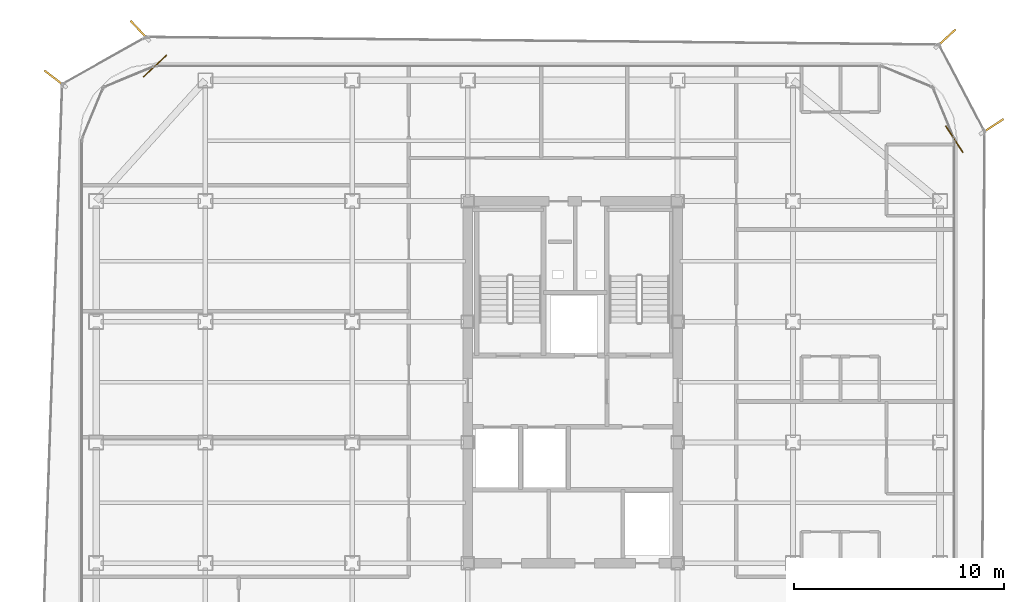
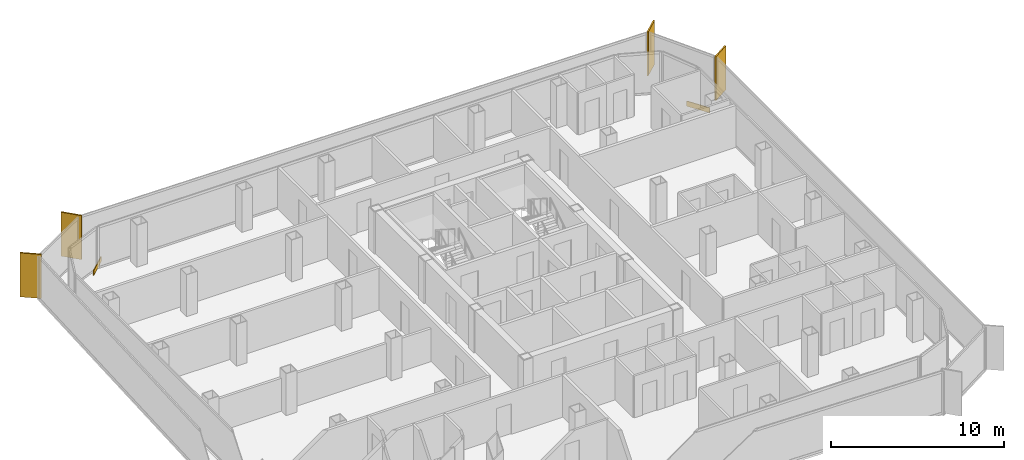
# One storey, part 15 of 15: 4 shading devices, 2 coverings.
"""IFC4 building model written with IfcOpenShell, lengths in metres."""

from ifc_helpers import new_model, si_unit, direction, frame, origin, origin_2d, place, context, subcontext, project, spatial, rectangle, extrude, source, transform, mapped, material, layer, layer_set, type_object, element, save


model = new_model("IFC4")

# Units and contexts
model_context = context("Model", 3, precision=1e-05, world=origin(), true_north=direction((0.0, 1.0)))
body_context = subcontext(model_context, "Body", "Model", "MODEL_VIEW")
ifc_project = project(units=[si_unit("LENGTHUNIT", "METRE"), si_unit("AREAUNIT", "SQUARE_METRE"), si_unit("VOLUMEUNIT", "CUBIC_METRE"), si_unit("PLANEANGLEUNIT", "RADIAN"), si_unit("MASSUNIT", "GRAM", prefix="KILO")], contexts=[model_context])

# Site, building, storey
site_placement = place(None, origin())
site = spatial("IfcSite", under=ifc_project, at=site_placement, CompositionType="ELEMENT")
building_placement = place(site_placement, origin())
building = spatial("IfcBuilding", under=site, at=building_placement, Name="Kolveth Station Tower", CompositionType="ELEMENT")
storey_placement = place(building_placement, frame((0.0, 0.0, 199.60009765625)))
storey = spatial("IfcBuildingStorey", under=building, at=storey_placement, Name="L56", CompositionType="ELEMENT", Elevation=199.60009765625)

# Shading devices
ifc_material_1 = material(Name="Black anodized aluminium 6063-T6", Category="aluminium")
shading_device_type = type_object("IfcShadingDeviceType", Name="FIN_VF1", PredefinedType="USERDEFINED", material=ifc_material_1)
shared_shape_1 = source(origin(), body_context, "Body", "SweptSolid", [
    extrude(rectangle(XDim=1.25, YDim=0.090087890625, at=origin_2d()), origin(), (0.0, 0.0, 1.0), 3.10009765625),
])
for number, where, z_axis, x_axis, name in (
    (1, (43.4970703125, 32.31396484375, -0.000244140625), (0.0, 0.0, 1.0), (0.838860631735, 0.544346250585, 0.0), "L56 Dark-Aluminium Solar Fin 3"),
    (2, (41.281982421875, 36.5048828125, -0.000244140625), (0.0, 0.0, 1.0), (0.734085518544, 0.679057031084, 0.0), "L56 Dark-Aluminium Solar Fin 4"),
    (3, (2.862060546875, 36.886962890625, -0.000244140625), (0.0, 0.0, 1.0), (-0.684038023042, 0.729446353773, 0.0), "L56 Dark-Aluminium Solar Fin 5"),
    (4, (-1.1689453125, 34.589111328125, -0.000244140625), (0.0, 0.0, 1.0), (-0.793247079295, 0.608899886015, 0.0), "L56 Dark-Aluminium Solar Fin 6"),
):
    element("IfcShadingDevice", number, at=place(storey_placement, frame(where, z_axis=z_axis, x_axis=x_axis)), inside=storey, type_object=shading_device_type, Name=name, ObjectType="FIN", PredefinedType="USERDEFINED", context=body_context, shape_type="MappedRepresentation", body=[
        mapped(shared_shape_1, transform((0.0, 0.0, 0.0), x_axis=(1.0, 0.0, 0.0), y_axis=(0.0, 1.0, 0.0), z_axis=(0.0, 0.0, 1.0), scale=1.0)),
    ])

# Coverings
ifc_material_2 = material(Name="Charcoal anodized aluminium spandrel cladding", Category="aluminium")
ifc_layer = layer(ifc_material_2, 0.044921875)
ifc_layer_set = layer_set([ifc_layer], Name="Charcoal anodized aluminium spandrel cladding")
covering_type = type_object("IfcCoveringType", Name="Clad_CD1", PredefinedType="CLADDING", material=ifc_layer_set)
shared_shape_2 = source(origin(), body_context, "Body", "SweptSolid", [
    extrude(rectangle(XDim=1.5, YDim=0.044921875, at=origin_2d()), origin(), (0.0, 0.0, 1.0), 0.360107421875),
])
for number, where, z_axis, x_axis, name in (
    (5, (41.679931640625, 31.699951171875, 0.0), (0.0, 0.0, 1.0), (-0.544346250585, 0.838860631735, 0.0), "L56 Spandrel Edge Cladding 3"),
    (6, (3.60009765625, 35.179931640625, 0.0), (0.0, 0.0, 1.0), (-0.729446353773, -0.684038023042, 0.0), "L56 Spandrel Edge Cladding 5"),
):
    element("IfcCovering", number, at=place(storey_placement, frame(where, z_axis=z_axis, x_axis=x_axis)), inside=storey, type_object=covering_type, Name=name, PredefinedType="CLADDING", context=body_context, shape_type="MappedRepresentation", body=[
        mapped(shared_shape_2, transform((0.0, 0.0, 0.0), x_axis=(1.0, 0.0, 0.0), y_axis=(0.0, 1.0, 0.0), z_axis=(0.0, 0.0, 1.0), scale=1.0)),
    ])

save(model, "model.ifc")
